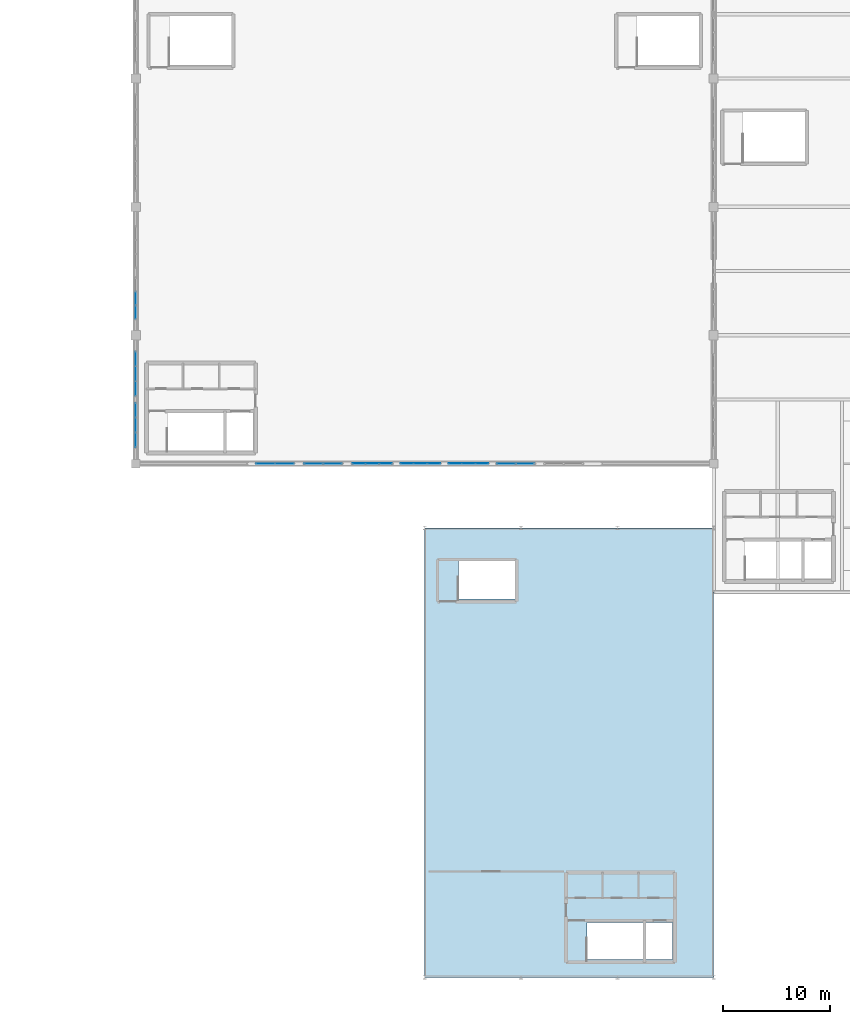
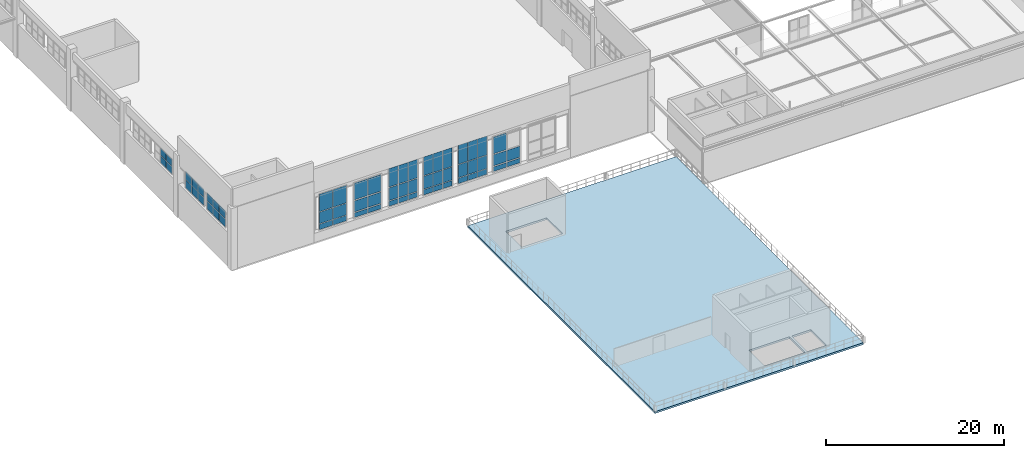
# One storey, part 70 of 97: 60 plates, 1 slab, 9 elements without a shape of their own.
"""IFC4 building model written with IfcOpenShell, lengths in metres."""

from ifc_helpers import new_model, si_unit, derived_unit, direction, frame, origin, origin_2d, place, context, subcontext, project, spatial, polyline, rectangle, outline, extrude, material, layer, layer_set, type_object, element, aggregate, save


model = new_model("IFC4")

# Units and contexts
model_context = context("Model", 3, precision=1e-05, world=origin(), true_north=direction((0.0, 1.0)))
body_context = subcontext(model_context, "Body", "Model", "MODEL_VIEW")
ifc_project = project(units=[si_unit("LENGTHUNIT", "METRE"), si_unit("AREAUNIT", "SQUARE_METRE"), si_unit("VOLUMEUNIT", "CUBIC_METRE"), si_unit("PLANEANGLEUNIT", "RADIAN"), si_unit("MASSUNIT", "GRAM", prefix="KILO"), derived_unit("THERMALTRANSMITTANCEUNIT", [(si_unit("POWERUNIT", "WATT"), 1), (si_unit("LENGTHUNIT", "METRE"), -2), (si_unit("THERMODYNAMICTEMPERATUREUNIT", "KELVIN"), -1)])], contexts=[model_context])

# Site, building, storey
site_placement = place(None, origin())
site = spatial("IfcSite", under=ifc_project, at=site_placement, CompositionType="ELEMENT")
building_placement = place(site_placement, origin())
building = spatial("IfcBuilding", under=site, at=building_placement, Name="Almenara Railside Exhibition Hall", CompositionType="ELEMENT")
storey_placement = place(building_placement, frame((0.0, 0.0, 10.800048828125)))
storey = spatial("IfcBuildingStorey", under=building, at=storey_placement, Name="L02", CompositionType="ELEMENT", Elevation=10.800048828125)

# Curtain wall, plates
ifc_material_1 = material(Name="Bronze-anodised aluminium and low-E double glazing", Category="aluminium")
ifc_layer_1 = layer(ifc_material_1, 0.179931640625, Name="Bronze-anodised aluminium and low-E double glazing")
ifc_layer_set_1 = layer_set([ifc_layer_1], Name="Bronze-anodised aluminium and low-E double glazing")
curtain_wall_type_1 = type_object("IfcCurtainWallType", Name="West Hall Clerestory Curtain Wall 3900x2200", PredefinedType="NOTDEFINED", material=ifc_layer_set_1)
curtain_wall_1_placement = place(storey_placement, origin())
curtain_wall_1 = element("IfcCurtainWall", 1, at=curtain_wall_1_placement, inside=storey, type_object=curtain_wall_type_1, Name="Curtain wall CW-CL2-005", PredefinedType="NOTDEFINED")
ifc_material_2 = material(Name="Solar-control acoustic laminated glazing", Category="glass")
ifc_layer_2 = layer(ifc_material_2, 0.031982421875, Name="Solar-control acoustic laminated glazing")
ifc_layer_set_2 = layer_set([ifc_layer_2], Name="Solar-control acoustic laminated glazing")
plate_type_1 = type_object("IfcPlateType", Name="Acoustic Low-E Double Glazing Panel 32mm", PredefinedType="CURTAIN_PANEL", material=ifc_layer_set_2)
plate_1_placement = place(storey_placement, frame((12.0, 62.1650390625, 4.69384765625), z_axis=(0.0, 0.0, 1.0), x_axis=(0.0, 1.0, 0.0)))
plate_1 = element("IfcPlate", 2, at=plate_1_placement, type_object=plate_type_1, Name="CW-CL2-005 panel 1.1", PredefinedType="CURTAIN_PANEL", context=body_context, shape_type="SweptSolid", body=[
    extrude(rectangle(XDim=1.22607421875, YDim=0.031982421875, at=origin_2d()), origin(), (0.0, 0.0, 1.0), 0.967041015625),
])
plate_2_placement = place(storey_placement, frame((12.0, 62.1650390625, 5.73876953125), z_axis=(0.0, 0.0, 1.0), x_axis=(0.0, 1.0, 0.0)))
plate_2 = element("IfcPlate", 3, at=plate_2_placement, type_object=plate_type_1, Name="CW-CL2-005 panel 1.2", PredefinedType="CURTAIN_PANEL", context=body_context, shape_type="SweptSolid", body=[
    extrude(rectangle(XDim=1.22607421875, YDim=0.031982421875, at=origin_2d()), origin(), (0.0, 0.0, 1.0), 0.967041015625),
])
plate_3_placement = place(storey_placement, frame((12.0, 63.449951171875, 4.69384765625), z_axis=(0.0, 0.0, 1.0), x_axis=(0.0, 1.0, 0.0)))
plate_3 = element("IfcPlate", 4, at=plate_3_placement, type_object=plate_type_1, Name="CW-CL2-005 panel 2.1", PredefinedType="CURTAIN_PANEL", context=body_context, shape_type="SweptSolid", body=[
    extrude(rectangle(XDim=1.256103515625, YDim=0.031982421875, at=origin_2d()), origin(), (0.0, 0.0, 1.0), 0.967041015625),
])
plate_4_placement = place(storey_placement, frame((12.0, 63.449951171875, 5.73876953125), z_axis=(0.0, 0.0, 1.0), x_axis=(0.0, 1.0, 0.0)))
plate_4 = element("IfcPlate", 5, at=plate_4_placement, type_object=plate_type_1, Name="CW-CL2-005 panel 2.2", PredefinedType="CURTAIN_PANEL", context=body_context, shape_type="SweptSolid", body=[
    extrude(rectangle(XDim=1.256103515625, YDim=0.031982421875, at=origin_2d()), origin(), (0.0, 0.0, 1.0), 0.967041015625),
])
aggregate(curtain_wall_1, [plate_1, plate_2, plate_3, plate_4])

ifc_layer_3 = layer(ifc_material_1, 0.179931640625, Name="Bronze-anodised aluminium and low-E double glazing")
ifc_layer_set_3 = layer_set([ifc_layer_3], Name="Bronze-anodised aluminium and low-E double glazing")
curtain_wall_type_2 = type_object("IfcCurtainWallType", Name="Scroll Gable Tall Curtain Wall 3800x5400", PredefinedType="NOTDEFINED", material=ifc_layer_set_3)
curtain_wall_2_placement = place(storey_placement, origin())
curtain_wall_2 = element("IfcCurtainWall", 6, at=curtain_wall_2_placement, inside=storey, type_object=curtain_wall_type_2, Name="Curtain wall CW-G1-035", PredefinedType="NOTDEFINED")
plate_5_placement = place(storey_placement, frame((41.84716796875, 48.0, 1.323974609375), z_axis=(0.0, 0.0, 1.0), x_axis=(1.0, 0.0, 0.0)))
plate_5 = element("IfcPlate", 7, at=plate_5_placement, type_object=plate_type_1, Name="CW-G1-035 panel 1.1", PredefinedType="CURTAIN_PANEL", context=body_context, shape_type="SweptSolid", body=[
    extrude(rectangle(XDim=1.2001953125, YDim=0.031982421875, at=origin_2d()), origin(), (0.0, 0.0, 1.0), 0.7470703125),
])
plate_6_placement = place(storey_placement, frame((41.84716796875, 48.0, 2.12890625), z_axis=(0.0, 0.0, 1.0), x_axis=(1.0, 0.0, 0.0)))
plate_6 = element("IfcPlate", 8, at=plate_6_placement, type_object=plate_type_1, Name="CW-G1-035 panel 1.2", PredefinedType="CURTAIN_PANEL", context=body_context, shape_type="SweptSolid", body=[
    extrude(rectangle(XDim=1.2001953125, YDim=0.031982421875, at=origin_2d()), origin(), (0.0, 0.0, 1.0), 1.7919921875),
])
plate_7_placement = place(storey_placement, frame((41.84716796875, 48.0, 3.97900390625), z_axis=(0.0, 0.0, 1.0), x_axis=(1.0, 0.0, 0.0)))
plate_7 = element("IfcPlate", 9, at=plate_7_placement, type_object=plate_type_1, Name="CW-G1-035 panel 1.3", PredefinedType="CURTAIN_PANEL", context=body_context, shape_type="SweptSolid", body=[
    extrude(rectangle(XDim=1.2001953125, YDim=0.031982421875, at=origin_2d()), origin(), (0.0, 0.0, 1.0), 2.596923828125),
])
plate_8_placement = place(storey_placement, frame((43.10009765625, 48.0, 1.323974609375), z_axis=(0.0, 0.0, 1.0), x_axis=(1.0, 0.0, 0.0)))
plate_8 = element("IfcPlate", 10, at=plate_8_placement, type_object=plate_type_1, Name="CW-G1-035 panel 2.1", PredefinedType="CURTAIN_PANEL", context=body_context, shape_type="SweptSolid", body=[
    extrude(rectangle(XDim=1.227783203125, YDim=0.031982421875, at=origin_2d()), origin(), (0.0, 0.0, 1.0), 0.7470703125),
])
plate_9_placement = place(storey_placement, frame((43.10009765625, 48.0, 2.12890625), z_axis=(0.0, 0.0, 1.0), x_axis=(1.0, 0.0, 0.0)))
plate_9 = element("IfcPlate", 11, at=plate_9_placement, type_object=plate_type_1, Name="CW-G1-035 panel 2.2", PredefinedType="CURTAIN_PANEL", context=body_context, shape_type="SweptSolid", body=[
    extrude(rectangle(XDim=1.227783203125, YDim=0.031982421875, at=origin_2d()), origin(), (0.0, 0.0, 1.0), 1.7919921875),
])
plate_10_placement = place(storey_placement, frame((43.10009765625, 48.0, 3.97900390625), z_axis=(0.0, 0.0, 1.0), x_axis=(1.0, 0.0, 0.0)))
plate_10 = element("IfcPlate", 12, at=plate_10_placement, type_object=plate_type_1, Name="CW-G1-035 panel 2.3", PredefinedType="CURTAIN_PANEL", context=body_context, shape_type="SweptSolid", body=[
    extrude(rectangle(XDim=1.227783203125, YDim=0.031982421875, at=origin_2d()), origin(), (0.0, 0.0, 1.0), 2.596923828125),
])
plate_11_placement = place(storey_placement, frame((44.35302734375, 48.0, 1.323974609375), z_axis=(0.0, 0.0, 1.0), x_axis=(1.0, 0.0, 0.0)))
plate_11 = element("IfcPlate", 13, at=plate_11_placement, type_object=plate_type_1, Name="CW-G1-035 panel 3.1", PredefinedType="CURTAIN_PANEL", context=body_context, shape_type="SweptSolid", body=[
    extrude(rectangle(XDim=1.2001953125, YDim=0.031982421875, at=origin_2d()), origin(), (0.0, 0.0, 1.0), 0.7470703125),
])
plate_12_placement = place(storey_placement, frame((44.35302734375, 48.0, 2.12890625), z_axis=(0.0, 0.0, 1.0), x_axis=(1.0, 0.0, 0.0)))
plate_12 = element("IfcPlate", 14, at=plate_12_placement, type_object=plate_type_1, Name="CW-G1-035 panel 3.2", PredefinedType="CURTAIN_PANEL", context=body_context, shape_type="SweptSolid", body=[
    extrude(rectangle(XDim=1.2001953125, YDim=0.031982421875, at=origin_2d()), origin(), (0.0, 0.0, 1.0), 1.7919921875),
])
plate_13_placement = place(storey_placement, frame((44.35302734375, 48.0, 3.97900390625), z_axis=(0.0, 0.0, 1.0), x_axis=(1.0, 0.0, 0.0)))
plate_13 = element("IfcPlate", 15, at=plate_13_placement, type_object=plate_type_1, Name="CW-G1-035 panel 3.3", PredefinedType="CURTAIN_PANEL", context=body_context, shape_type="SweptSolid", body=[
    extrude(rectangle(XDim=1.2001953125, YDim=0.031982421875, at=origin_2d()), origin(), (0.0, 0.0, 1.0), 2.596923828125),
])
aggregate(curtain_wall_2, [plate_5, plate_6, plate_7, plate_8, plate_9, plate_10, plate_11, plate_12, plate_13])

# Slab
ifc_material_3 = material(Name="Concrete C35/45", Category="concrete")
ifc_layer_4 = layer(ifc_material_3, 0.260009765625, Name="Concrete C35/45")
ifc_layer_set_4 = layer_set([ifc_layer_4], Name="Concrete C35/45")
slab_type = type_object("IfcSlabType", Name="Congress Suspended Slab 260mm C35/45", PredefinedType="FLOOR", material=ifc_layer_set_4)
slab_placement = place(storey_placement, frame((0.0, 0.0, -0.260009765625)))
element("IfcSlab", 16, at=slab_placement, inside=storey, type_object=slab_type, Name="Plenary L02 upper concourse slab 020", PredefinedType="FLOOR", context=body_context, shape_type="SweptSolid", body=[
    extrude(outline(polyline([(39.0, 0.0), (66.0, 0.0), (66.0, 42.0), (39.0, 42.0), (39.0, 0.0)]), holes=[polyline([(54.15087890625, 1.64990234375), (59.39990234375, 1.64990234375), (59.39990234375, 5.139892578125), (54.15087890625, 5.139892578125), (54.15087890625, 1.64990234375)]), polyline([(59.699951171875, 1.64990234375), (62.14990234375, 1.64990234375), (62.14990234375, 5.139892578125), (59.699951171875, 5.139892578125), (59.699951171875, 1.64990234375)]), polyline([(42.15087890625, 35.35009765625), (47.449951171875, 35.35009765625), (47.449951171875, 38.89990234375), (42.15087890625, 38.89990234375), (42.15087890625, 35.35009765625)])]), origin(), (0.0, 0.0, 1.0), 0.260009765625),
])

# Curtain wall, plates
ifc_layer_5 = layer(ifc_material_1, 0.179931640625, Name="Bronze-anodised aluminium and low-E double glazing")
ifc_layer_set_5 = layer_set([ifc_layer_5], Name="Bronze-anodised aluminium and low-E double glazing")
curtain_wall_type_3 = type_object("IfcCurtainWallType", Name="West Hall Clerestory Curtain Wall 4200x2400", PredefinedType="NOTDEFINED", material=ifc_layer_set_5)
curtain_wall_3_placement = place(storey_placement, origin())
curtain_wall_3 = element("IfcCurtainWall", 17, at=curtain_wall_3_placement, inside=storey, type_object=curtain_wall_type_3, Name="Curtain wall CW-CL1-002", PredefinedType="NOTDEFINED")
ifc_material_4 = material(Name="Clear low-E laminated double glazing", Category="glass")
ifc_layer_6 = layer(ifc_material_4, 0.02392578125, Name="Clear low-E laminated double glazing")
ifc_layer_set_6 = layer_set([ifc_layer_6], Name="Clear low-E laminated double glazing")
plate_type_2 = type_object("IfcPlateType", Name="Courtyard Clear Double Glazing Panel 24mm", PredefinedType="CURTAIN_PANEL", material=ifc_layer_set_6)
plate_14_placement = place(storey_placement, frame((12.0, 55.013671875, 4.673828125), z_axis=(0.0, 0.0, 1.0), x_axis=(0.0, 1.0, 0.0)))
plate_14 = element("IfcPlate", 18, at=plate_14_placement, type_object=plate_type_2, Name="CW-CL1-002 panel 1.1", PredefinedType="CURTAIN_PANEL", context=body_context, shape_type="SweptSolid", body=[
    extrude(rectangle(XDim=1.33349609375, YDim=0.02392578125, at=origin_2d()), origin(), (0.0, 0.0, 1.0), 1.096923828125),
])
plate_15_placement = place(storey_placement, frame((12.0, 55.013671875, 5.8291015625), z_axis=(0.0, 0.0, 1.0), x_axis=(0.0, 1.0, 0.0)))
plate_15 = element("IfcPlate", 19, at=plate_15_placement, type_object=plate_type_2, Name="CW-CL1-002 panel 1.2", PredefinedType="CURTAIN_PANEL", context=body_context, shape_type="SweptSolid", body=[
    extrude(rectangle(XDim=1.33349609375, YDim=0.02392578125, at=origin_2d()), origin(), (0.0, 0.0, 1.0), 1.096923828125),
])
plate_16_placement = place(storey_placement, frame((12.0, 56.39990234375, 4.673828125), z_axis=(0.0, 0.0, 1.0), x_axis=(0.0, 1.0, 0.0)))
plate_16 = element("IfcPlate", 20, at=plate_16_placement, type_object=plate_type_2, Name="CW-CL1-002 panel 2.1", PredefinedType="CURTAIN_PANEL", context=body_context, shape_type="SweptSolid", body=[
    extrude(rectangle(XDim=1.361083984375, YDim=0.02392578125, at=origin_2d()), origin(), (0.0, 0.0, 1.0), 1.096923828125),
])
plate_17_placement = place(storey_placement, frame((12.0, 56.39990234375, 5.8291015625), z_axis=(0.0, 0.0, 1.0), x_axis=(0.0, 1.0, 0.0)))
plate_17 = element("IfcPlate", 21, at=plate_17_placement, type_object=plate_type_2, Name="CW-CL1-002 panel 2.2", PredefinedType="CURTAIN_PANEL", context=body_context, shape_type="SweptSolid", body=[
    extrude(rectangle(XDim=1.361083984375, YDim=0.02392578125, at=origin_2d()), origin(), (0.0, 0.0, 1.0), 1.096923828125),
])
plate_18_placement = place(storey_placement, frame((12.0, 57.7861328125, 4.673828125), z_axis=(0.0, 0.0, 1.0), x_axis=(0.0, 1.0, 0.0)))
plate_18 = element("IfcPlate", 22, at=plate_18_placement, type_object=plate_type_2, Name="CW-CL1-002 panel 3.1", PredefinedType="CURTAIN_PANEL", context=body_context, shape_type="SweptSolid", body=[
    extrude(rectangle(XDim=1.33349609375, YDim=0.02392578125, at=origin_2d()), origin(), (0.0, 0.0, 1.0), 1.096923828125),
])
plate_19_placement = place(storey_placement, frame((12.0, 57.7861328125, 5.8291015625), z_axis=(0.0, 0.0, 1.0), x_axis=(0.0, 1.0, 0.0)))
plate_19 = element("IfcPlate", 23, at=plate_19_placement, type_object=plate_type_2, Name="CW-CL1-002 panel 3.2", PredefinedType="CURTAIN_PANEL", context=body_context, shape_type="SweptSolid", body=[
    extrude(rectangle(XDim=1.33349609375, YDim=0.02392578125, at=origin_2d()), origin(), (0.0, 0.0, 1.0), 1.096923828125),
])
aggregate(curtain_wall_3, [plate_14, plate_15, plate_16, plate_17, plate_18, plate_19])

ifc_layer_7 = layer(ifc_material_1, 0.179931640625, Name="Bronze-anodised aluminium and low-E double glazing")
ifc_layer_set_7 = layer_set([ifc_layer_7], Name="Bronze-anodised aluminium and low-E double glazing")
curtain_wall_type_4 = type_object("IfcCurtainWallType", Name="Scroll Gable Standard Curtain Wall 3600x5000", PredefinedType="NOTDEFINED", material=ifc_layer_set_7)
curtain_wall_4_placement = place(storey_placement, origin())
curtain_wall_4 = element("IfcCurtainWall", 24, at=curtain_wall_4_placement, inside=storey, type_object=curtain_wall_type_4, Name="Curtain wall CW-G2-032", PredefinedType="NOTDEFINED")
plate_20_placement = place(storey_placement, frame((28.617431640625, 48.0, 1.393798828125), z_axis=(0.0, 0.0, 1.0), x_axis=(1.0, 0.0, 0.0)))
plate_20 = element("IfcPlate", 25, at=plate_20_placement, type_object=plate_type_2, Name="CW-G2-032 panel 1.1", PredefinedType="CURTAIN_PANEL", context=body_context, shape_type="SweptSolid", body=[
    extrude(rectangle(XDim=1.7109375, YDim=0.02392578125, at=origin_2d()), origin(), (0.0, 0.0, 1.0), 0.64208984375),
])
plate_21_placement = place(storey_placement, frame((28.617431640625, 48.0, 2.1640625), z_axis=(0.0, 0.0, 1.0), x_axis=(1.0, 0.0, 0.0)))
plate_21 = element("IfcPlate", 26, at=plate_21_placement, type_object=plate_type_2, Name="CW-G2-032 panel 1.2", PredefinedType="CURTAIN_PANEL", context=body_context, shape_type="SweptSolid", body=[
    extrude(rectangle(XDim=1.7109375, YDim=0.02392578125, at=origin_2d()), origin(), (0.0, 0.0, 1.0), 1.52197265625),
])
plate_22_placement = place(storey_placement, frame((28.617431640625, 48.0, 3.81396484375), z_axis=(0.0, 0.0, 1.0), x_axis=(1.0, 0.0, 0.0)))
plate_22 = element("IfcPlate", 27, at=plate_22_placement, type_object=plate_type_2, Name="CW-G2-032 panel 1.3", PredefinedType="CURTAIN_PANEL", context=body_context, shape_type="SweptSolid", body=[
    extrude(rectangle(XDim=1.7109375, YDim=0.02392578125, at=origin_2d()), origin(), (0.0, 0.0, 1.0), 2.2919921875),
])
plate_23_placement = place(storey_placement, frame((30.382568359375, 48.0, 1.393798828125), z_axis=(0.0, 0.0, 1.0), x_axis=(1.0, 0.0, 0.0)))
plate_23 = element("IfcPlate", 28, at=plate_23_placement, type_object=plate_type_2, Name="CW-G2-032 panel 2.1", PredefinedType="CURTAIN_PANEL", context=body_context, shape_type="SweptSolid", body=[
    extrude(rectangle(XDim=1.7109375, YDim=0.02392578125, at=origin_2d()), origin(), (0.0, 0.0, 1.0), 0.64208984375),
])
plate_24_placement = place(storey_placement, frame((30.382568359375, 48.0, 2.1640625), z_axis=(0.0, 0.0, 1.0), x_axis=(1.0, 0.0, 0.0)))
plate_24 = element("IfcPlate", 29, at=plate_24_placement, type_object=plate_type_2, Name="CW-G2-032 panel 2.2", PredefinedType="CURTAIN_PANEL", context=body_context, shape_type="SweptSolid", body=[
    extrude(rectangle(XDim=1.7109375, YDim=0.02392578125, at=origin_2d()), origin(), (0.0, 0.0, 1.0), 1.52197265625),
])
plate_25_placement = place(storey_placement, frame((30.382568359375, 48.0, 3.81396484375), z_axis=(0.0, 0.0, 1.0), x_axis=(1.0, 0.0, 0.0)))
plate_25 = element("IfcPlate", 30, at=plate_25_placement, type_object=plate_type_2, Name="CW-G2-032 panel 2.3", PredefinedType="CURTAIN_PANEL", context=body_context, shape_type="SweptSolid", body=[
    extrude(rectangle(XDim=1.7109375, YDim=0.02392578125, at=origin_2d()), origin(), (0.0, 0.0, 1.0), 2.2919921875),
])
aggregate(curtain_wall_4, [plate_20, plate_21, plate_22, plate_23, plate_24, plate_25])

curtain_wall_5_placement = place(storey_placement, origin())
curtain_wall_5 = element("IfcCurtainWall", 31, at=curtain_wall_5_placement, inside=storey, type_object=curtain_wall_type_2, Name="Curtain wall CW-G1-033", PredefinedType="NOTDEFINED")
ifc_material_5 = material(Name="Bronze-anodised insulated aluminium spandrel", Category="aluminium")
ifc_layer_8 = layer(ifc_material_5, 0.0400390625, Name="Bronze-anodised insulated aluminium spandrel")
ifc_layer_set_8 = layer_set([ifc_layer_8], Name="Bronze-anodised insulated aluminium spandrel")
plate_type_3 = type_object("IfcPlateType", Name="Insulated Bronze Spandrel Panel 40mm", PredefinedType="CURTAIN_PANEL", material=ifc_layer_set_8)
plate_26_placement = place(storey_placement, frame((32.849609375, 48.0, 1.3740234375), z_axis=(0.0, 0.0, 1.0), x_axis=(1.0, 0.0, 0.0)))
plate_26 = element("IfcPlate", 32, at=plate_26_placement, type_object=plate_type_3, Name="CW-G1-033 panel 1.1", PredefinedType="CURTAIN_PANEL", context=body_context, shape_type="SweptSolid", body=[
    extrude(rectangle(XDim=1.18505859375, YDim=0.0400390625, at=origin_2d()), origin(), (0.0, 0.0, 1.0), 0.672119140625),
])
plate_27_placement = place(storey_placement, frame((32.849609375, 48.0, 2.15380859375), z_axis=(0.0, 0.0, 1.0), x_axis=(1.0, 0.0, 0.0)))
plate_27 = element("IfcPlate", 33, at=plate_27_placement, type_object=plate_type_3, Name="CW-G1-033 panel 1.2", PredefinedType="CURTAIN_PANEL", context=body_context, shape_type="SweptSolid", body=[
    extrude(rectangle(XDim=1.18505859375, YDim=0.0400390625, at=origin_2d()), origin(), (0.0, 0.0, 1.0), 1.741943359375),
])
plate_28_placement = place(storey_placement, frame((32.849609375, 48.0, 4.00390625), z_axis=(0.0, 0.0, 1.0), x_axis=(1.0, 0.0, 0.0)))
plate_28 = element("IfcPlate", 34, at=plate_28_placement, type_object=plate_type_3, Name="CW-G1-033 panel 1.3", PredefinedType="CURTAIN_PANEL", context=body_context, shape_type="SweptSolid", body=[
    extrude(rectangle(XDim=1.18505859375, YDim=0.0400390625, at=origin_2d()), origin(), (0.0, 0.0, 1.0), 2.52197265625),
])
plate_29_placement = place(storey_placement, frame((34.10009765625, 48.0, 1.3740234375), z_axis=(0.0, 0.0, 1.0), x_axis=(1.0, 0.0, 0.0)))
plate_29 = element("IfcPlate", 35, at=plate_29_placement, type_object=plate_type_3, Name="CW-G1-033 panel 2.1", PredefinedType="CURTAIN_PANEL", context=body_context, shape_type="SweptSolid", body=[
    extrude(rectangle(XDim=1.2177734375, YDim=0.0400390625, at=origin_2d()), origin(), (0.0, 0.0, 1.0), 0.672119140625),
])
plate_30_placement = place(storey_placement, frame((34.10009765625, 48.0, 2.15380859375), z_axis=(0.0, 0.0, 1.0), x_axis=(1.0, 0.0, 0.0)))
plate_30 = element("IfcPlate", 36, at=plate_30_placement, type_object=plate_type_3, Name="CW-G1-033 panel 2.2", PredefinedType="CURTAIN_PANEL", context=body_context, shape_type="SweptSolid", body=[
    extrude(rectangle(XDim=1.2177734375, YDim=0.0400390625, at=origin_2d()), origin(), (0.0, 0.0, 1.0), 1.741943359375),
])
plate_31_placement = place(storey_placement, frame((34.10009765625, 48.0, 4.00390625), z_axis=(0.0, 0.0, 1.0), x_axis=(1.0, 0.0, 0.0)))
plate_31 = element("IfcPlate", 37, at=plate_31_placement, type_object=plate_type_3, Name="CW-G1-033 panel 2.3", PredefinedType="CURTAIN_PANEL", context=body_context, shape_type="SweptSolid", body=[
    extrude(rectangle(XDim=1.2177734375, YDim=0.0400390625, at=origin_2d()), origin(), (0.0, 0.0, 1.0), 2.52197265625),
])
plate_32_placement = place(storey_placement, frame((35.350341796875, 48.0, 1.3740234375), z_axis=(0.0, 0.0, 1.0), x_axis=(1.0, 0.0, 0.0)))
plate_32 = element("IfcPlate", 38, at=plate_32_placement, type_object=plate_type_3, Name="CW-G1-033 panel 3.1", PredefinedType="CURTAIN_PANEL", context=body_context, shape_type="SweptSolid", body=[
    extrude(rectangle(XDim=1.18505859375, YDim=0.0400390625, at=origin_2d()), origin(), (0.0, 0.0, 1.0), 0.672119140625),
])
plate_33_placement = place(storey_placement, frame((35.350341796875, 48.0, 2.15380859375), z_axis=(0.0, 0.0, 1.0), x_axis=(1.0, 0.0, 0.0)))
plate_33 = element("IfcPlate", 39, at=plate_33_placement, type_object=plate_type_3, Name="CW-G1-033 panel 3.2", PredefinedType="CURTAIN_PANEL", context=body_context, shape_type="SweptSolid", body=[
    extrude(rectangle(XDim=1.18505859375, YDim=0.0400390625, at=origin_2d()), origin(), (0.0, 0.0, 1.0), 1.741943359375),
])
plate_34_placement = place(storey_placement, frame((35.350341796875, 48.0, 4.00390625), z_axis=(0.0, 0.0, 1.0), x_axis=(1.0, 0.0, 0.0)))
plate_34 = element("IfcPlate", 40, at=plate_34_placement, type_object=plate_type_3, Name="CW-G1-033 panel 3.3", PredefinedType="CURTAIN_PANEL", context=body_context, shape_type="SweptSolid", body=[
    extrude(rectangle(XDim=1.18505859375, YDim=0.0400390625, at=origin_2d()), origin(), (0.0, 0.0, 1.0), 2.52197265625),
])
aggregate(curtain_wall_5, [plate_26, plate_27, plate_28, plate_29, plate_30, plate_31, plate_32, plate_33, plate_34])

curtain_wall_6_placement = place(storey_placement, origin())
curtain_wall_6 = element("IfcCurtainWall", 41, at=curtain_wall_6_placement, inside=storey, type_object=curtain_wall_type_2, Name="Curtain wall CW-G1-034", PredefinedType="NOTDEFINED")
ifc_layer_9 = layer(ifc_material_5, 0.034912109375, Name="Bronze-anodised insulated aluminium spandrel")
ifc_layer_set_9 = layer_set([ifc_layer_9], Name="Bronze-anodised insulated aluminium spandrel")
plate_type_4 = type_object("IfcPlateType", Name="Insulated Stucco-Tone Spandrel Panel 35mm", PredefinedType="CURTAIN_PANEL", material=ifc_layer_set_9)
plate_35_placement = place(storey_placement, frame((37.348388671875, 48.0, 1.34375), z_axis=(0.0, 0.0, 1.0), x_axis=(1.0, 0.0, 0.0)))
plate_35 = element("IfcPlate", 42, at=plate_35_placement, type_object=plate_type_4, Name="CW-G1-034 panel 1.1", PredefinedType="CURTAIN_PANEL", context=body_context, shape_type="SweptSolid", body=[
    extrude(rectangle(XDim=1.192626953125, YDim=0.034912109375, at=origin_2d()), origin(), (0.0, 0.0, 1.0), 0.717041015625),
])
plate_36_placement = place(storey_placement, frame((37.348388671875, 48.0, 2.138916015625), z_axis=(0.0, 0.0, 1.0), x_axis=(1.0, 0.0, 0.0)))
plate_36 = element("IfcPlate", 43, at=plate_36_placement, type_object=plate_type_4, Name="CW-G1-034 panel 1.2", PredefinedType="CURTAIN_PANEL", context=body_context, shape_type="SweptSolid", body=[
    extrude(rectangle(XDim=1.192626953125, YDim=0.034912109375, at=origin_2d()), origin(), (0.0, 0.0, 1.0), 1.77197265625),
])
plate_37_placement = place(storey_placement, frame((37.348388671875, 48.0, 3.989013671875), z_axis=(0.0, 0.0, 1.0), x_axis=(1.0, 0.0, 0.0)))
plate_37 = element("IfcPlate", 44, at=plate_37_placement, type_object=plate_type_4, Name="CW-G1-034 panel 1.3", PredefinedType="CURTAIN_PANEL", context=body_context, shape_type="SweptSolid", body=[
    extrude(rectangle(XDim=1.192626953125, YDim=0.034912109375, at=origin_2d()), origin(), (0.0, 0.0, 1.0), 2.56689453125),
])
plate_38_placement = place(storey_placement, frame((38.60009765625, 48.0, 1.34375), z_axis=(0.0, 0.0, 1.0), x_axis=(1.0, 0.0, 0.0)))
plate_38 = element("IfcPlate", 45, at=plate_38_placement, type_object=plate_type_4, Name="CW-G1-034 panel 2.1", PredefinedType="CURTAIN_PANEL", context=body_context, shape_type="SweptSolid", body=[
    extrude(rectangle(XDim=1.22265625, YDim=0.034912109375, at=origin_2d()), origin(), (0.0, 0.0, 1.0), 0.717041015625),
])
plate_39_placement = place(storey_placement, frame((38.60009765625, 48.0, 2.138916015625), z_axis=(0.0, 0.0, 1.0), x_axis=(1.0, 0.0, 0.0)))
plate_39 = element("IfcPlate", 46, at=plate_39_placement, type_object=plate_type_4, Name="CW-G1-034 panel 2.2", PredefinedType="CURTAIN_PANEL", context=body_context, shape_type="SweptSolid", body=[
    extrude(rectangle(XDim=1.22265625, YDim=0.034912109375, at=origin_2d()), origin(), (0.0, 0.0, 1.0), 1.77197265625),
])
plate_40_placement = place(storey_placement, frame((38.60009765625, 48.0, 3.989013671875), z_axis=(0.0, 0.0, 1.0), x_axis=(1.0, 0.0, 0.0)))
plate_40 = element("IfcPlate", 47, at=plate_40_placement, type_object=plate_type_4, Name="CW-G1-034 panel 2.3", PredefinedType="CURTAIN_PANEL", context=body_context, shape_type="SweptSolid", body=[
    extrude(rectangle(XDim=1.22265625, YDim=0.034912109375, at=origin_2d()), origin(), (0.0, 0.0, 1.0), 2.56689453125),
])
plate_41_placement = place(storey_placement, frame((39.8515625, 48.0, 1.34375), z_axis=(0.0, 0.0, 1.0), x_axis=(1.0, 0.0, 0.0)))
plate_41 = element("IfcPlate", 48, at=plate_41_placement, type_object=plate_type_4, Name="CW-G1-034 panel 3.1", PredefinedType="CURTAIN_PANEL", context=body_context, shape_type="SweptSolid", body=[
    extrude(rectangle(XDim=1.192626953125, YDim=0.034912109375, at=origin_2d()), origin(), (0.0, 0.0, 1.0), 0.717041015625),
])
plate_42_placement = place(storey_placement, frame((39.8515625, 48.0, 2.138916015625), z_axis=(0.0, 0.0, 1.0), x_axis=(1.0, 0.0, 0.0)))
plate_42 = element("IfcPlate", 49, at=plate_42_placement, type_object=plate_type_4, Name="CW-G1-034 panel 3.2", PredefinedType="CURTAIN_PANEL", context=body_context, shape_type="SweptSolid", body=[
    extrude(rectangle(XDim=1.192626953125, YDim=0.034912109375, at=origin_2d()), origin(), (0.0, 0.0, 1.0), 1.77197265625),
])
plate_43_placement = place(storey_placement, frame((39.8515625, 48.0, 3.989013671875), z_axis=(0.0, 0.0, 1.0), x_axis=(1.0, 0.0, 0.0)))
plate_43 = element("IfcPlate", 50, at=plate_43_placement, type_object=plate_type_4, Name="CW-G1-034 panel 3.3", PredefinedType="CURTAIN_PANEL", context=body_context, shape_type="SweptSolid", body=[
    extrude(rectangle(XDim=1.192626953125, YDim=0.034912109375, at=origin_2d()), origin(), (0.0, 0.0, 1.0), 2.56689453125),
])
aggregate(curtain_wall_6, [plate_35, plate_36, plate_37, plate_38, plate_39, plate_40, plate_41, plate_42, plate_43])

curtain_wall_7_placement = place(storey_placement, origin())
curtain_wall_7 = element("IfcCurtainWall", 51, at=curtain_wall_7_placement, inside=storey, type_object=curtain_wall_type_3, Name="Curtain wall CW-CL1-001", PredefinedType="NOTDEFINED")
ifc_material_6 = material(Name="Solar-control low-E laminated double glazing", Category="glass")
ifc_layer_10 = layer(ifc_material_6, 0.028076171875, Name="Solar-control low-E laminated double glazing")
ifc_layer_set_10 = layer_set([ifc_layer_10], Name="Solar-control low-E laminated double glazing")
plate_type_5 = type_object("IfcPlateType", Name="Low-E Solar Control Double Glazing Panel 28mm", PredefinedType="CURTAIN_PANEL", material=ifc_layer_set_10)
plate_44_placement = place(storey_placement, frame((12.0, 50.215087890625, 4.694091796875), z_axis=(0.0, 0.0, 1.0), x_axis=(0.0, 1.0, 0.0)))
plate_44 = element("IfcPlate", 52, at=plate_44_placement, type_object=plate_type_5, Name="CW-CL1-001 panel 1.1", PredefinedType="CURTAIN_PANEL", context=body_context, shape_type="SweptSolid", body=[
    extrude(rectangle(XDim=1.325927734375, YDim=0.028076171875, at=origin_2d()), origin(), (0.0, 0.0, 1.0), 1.06689453125),
])
plate_45_placement = place(storey_placement, frame((12.0, 50.215087890625, 5.839111328125), z_axis=(0.0, 0.0, 1.0), x_axis=(0.0, 1.0, 0.0)))
plate_45 = element("IfcPlate", 53, at=plate_45_placement, type_object=plate_type_5, Name="CW-CL1-001 panel 1.2", PredefinedType="CURTAIN_PANEL", context=body_context, shape_type="SweptSolid", body=[
    extrude(rectangle(XDim=1.325927734375, YDim=0.028076171875, at=origin_2d()), origin(), (0.0, 0.0, 1.0), 1.06689453125),
])
plate_46_placement = place(storey_placement, frame((12.0, 51.60009765625, 4.694091796875), z_axis=(0.0, 0.0, 1.0), x_axis=(0.0, 1.0, 0.0)))
plate_46 = element("IfcPlate", 54, at=plate_46_placement, type_object=plate_type_5, Name="CW-CL1-001 panel 2.1", PredefinedType="CURTAIN_PANEL", context=body_context, shape_type="SweptSolid", body=[
    extrude(rectangle(XDim=1.35595703125, YDim=0.028076171875, at=origin_2d()), origin(), (0.0, 0.0, 1.0), 1.06689453125),
])
plate_47_placement = place(storey_placement, frame((12.0, 51.60009765625, 5.839111328125), z_axis=(0.0, 0.0, 1.0), x_axis=(0.0, 1.0, 0.0)))
plate_47 = element("IfcPlate", 55, at=plate_47_placement, type_object=plate_type_5, Name="CW-CL1-001 panel 2.2", PredefinedType="CURTAIN_PANEL", context=body_context, shape_type="SweptSolid", body=[
    extrude(rectangle(XDim=1.35595703125, YDim=0.028076171875, at=origin_2d()), origin(), (0.0, 0.0, 1.0), 1.06689453125),
])
plate_48_placement = place(storey_placement, frame((12.0, 52.985107421875, 4.694091796875), z_axis=(0.0, 0.0, 1.0), x_axis=(0.0, 1.0, 0.0)))
plate_48 = element("IfcPlate", 56, at=plate_48_placement, type_object=plate_type_5, Name="CW-CL1-001 panel 3.1", PredefinedType="CURTAIN_PANEL", context=body_context, shape_type="SweptSolid", body=[
    extrude(rectangle(XDim=1.325927734375, YDim=0.028076171875, at=origin_2d()), origin(), (0.0, 0.0, 1.0), 1.06689453125),
])
plate_49_placement = place(storey_placement, frame((12.0, 52.985107421875, 5.839111328125), z_axis=(0.0, 0.0, 1.0), x_axis=(0.0, 1.0, 0.0)))
plate_49 = element("IfcPlate", 57, at=plate_49_placement, type_object=plate_type_5, Name="CW-CL1-001 panel 3.2", PredefinedType="CURTAIN_PANEL", context=body_context, shape_type="SweptSolid", body=[
    extrude(rectangle(XDim=1.325927734375, YDim=0.028076171875, at=origin_2d()), origin(), (0.0, 0.0, 1.0), 1.06689453125),
])
aggregate(curtain_wall_7, [plate_44, plate_45, plate_46, plate_47, plate_48, plate_49])

curtain_wall_8_placement = place(storey_placement, origin())
curtain_wall_8 = element("IfcCurtainWall", 58, at=curtain_wall_8_placement, inside=storey, type_object=curtain_wall_type_4, Name="Curtain wall CW-G2-031", PredefinedType="NOTDEFINED")
plate_50_placement = place(storey_placement, frame((24.11376953125, 48.0, 1.323974609375), z_axis=(0.0, 0.0, 1.0), x_axis=(1.0, 0.0, 0.0)))
plate_50 = element("IfcPlate", 59, at=plate_50_placement, type_object=plate_type_5, Name="CW-G2-031 panel 1.1", PredefinedType="CURTAIN_PANEL", context=body_context, shape_type="SweptSolid", body=[
    extrude(rectangle(XDim=1.7333984375, YDim=0.028076171875, at=origin_2d()), origin(), (0.0, 0.0, 1.0), 0.7470703125),
])
plate_51_placement = place(storey_placement, frame((24.11376953125, 48.0, 2.12890625), z_axis=(0.0, 0.0, 1.0), x_axis=(1.0, 0.0, 0.0)))
plate_51 = element("IfcPlate", 60, at=plate_51_placement, type_object=plate_type_5, Name="CW-G2-031 panel 1.2", PredefinedType="CURTAIN_PANEL", context=body_context, shape_type="SweptSolid", body=[
    extrude(rectangle(XDim=1.7333984375, YDim=0.028076171875, at=origin_2d()), origin(), (0.0, 0.0, 1.0), 1.592041015625),
])
plate_52_placement = place(storey_placement, frame((24.11376953125, 48.0, 3.779052734375), z_axis=(0.0, 0.0, 1.0), x_axis=(1.0, 0.0, 0.0)))
plate_52 = element("IfcPlate", 61, at=plate_52_placement, type_object=plate_type_5, Name="CW-G2-031 panel 1.3", PredefinedType="CURTAIN_PANEL", context=body_context, shape_type="SweptSolid", body=[
    extrude(rectangle(XDim=1.7333984375, YDim=0.028076171875, at=origin_2d()), origin(), (0.0, 0.0, 1.0), 2.39697265625),
])
plate_53_placement = place(storey_placement, frame((25.88623046875, 48.0, 1.323974609375), z_axis=(0.0, 0.0, 1.0), x_axis=(1.0, 0.0, 0.0)))
plate_53 = element("IfcPlate", 62, at=plate_53_placement, type_object=plate_type_5, Name="CW-G2-031 panel 2.1", PredefinedType="CURTAIN_PANEL", context=body_context, shape_type="SweptSolid", body=[
    extrude(rectangle(XDim=1.7333984375, YDim=0.028076171875, at=origin_2d()), origin(), (0.0, 0.0, 1.0), 0.7470703125),
])
plate_54_placement = place(storey_placement, frame((25.88623046875, 48.0, 2.12890625), z_axis=(0.0, 0.0, 1.0), x_axis=(1.0, 0.0, 0.0)))
plate_54 = element("IfcPlate", 63, at=plate_54_placement, type_object=plate_type_5, Name="CW-G2-031 panel 2.2", PredefinedType="CURTAIN_PANEL", context=body_context, shape_type="SweptSolid", body=[
    extrude(rectangle(XDim=1.7333984375, YDim=0.028076171875, at=origin_2d()), origin(), (0.0, 0.0, 1.0), 1.592041015625),
])
plate_55_placement = place(storey_placement, frame((25.88623046875, 48.0, 3.779052734375), z_axis=(0.0, 0.0, 1.0), x_axis=(1.0, 0.0, 0.0)))
plate_55 = element("IfcPlate", 64, at=plate_55_placement, type_object=plate_type_5, Name="CW-G2-031 panel 2.3", PredefinedType="CURTAIN_PANEL", context=body_context, shape_type="SweptSolid", body=[
    extrude(rectangle(XDim=1.7333984375, YDim=0.028076171875, at=origin_2d()), origin(), (0.0, 0.0, 1.0), 2.39697265625),
])
aggregate(curtain_wall_8, [plate_50, plate_51, plate_52, plate_53, plate_54, plate_55])

curtain_wall_9_placement = place(storey_placement, origin())
curtain_wall_9 = element("IfcCurtainWall", 65, at=curtain_wall_9_placement, inside=storey, type_object=curtain_wall_type_4, Name="Curtain wall CW-G2-036", PredefinedType="NOTDEFINED")
plate_56_placement = place(storey_placement, frame((46.617431640625, 48.0, 1.393798828125), z_axis=(0.0, 0.0, 1.0), x_axis=(1.0, 0.0, 0.0)))
plate_56 = element("IfcPlate", 66, at=plate_56_placement, type_object=plate_type_5, Name="CW-G2-036 panel 1.1", PredefinedType="CURTAIN_PANEL", context=body_context, shape_type="SweptSolid", body=[
    extrude(rectangle(XDim=1.7109375, YDim=0.028076171875, at=origin_2d()), origin(), (0.0, 0.0, 1.0), 0.64208984375),
])
plate_57_placement = place(storey_placement, frame((46.617431640625, 48.0, 2.1640625), z_axis=(0.0, 0.0, 1.0), x_axis=(1.0, 0.0, 0.0)))
plate_57 = element("IfcPlate", 67, at=plate_57_placement, type_object=plate_type_5, Name="CW-G2-036 panel 1.2", PredefinedType="CURTAIN_PANEL", context=body_context, shape_type="SweptSolid", body=[
    extrude(rectangle(XDim=1.7109375, YDim=0.028076171875, at=origin_2d()), origin(), (0.0, 0.0, 1.0), 1.52197265625),
])
plate_58_placement = place(storey_placement, frame((46.617431640625, 48.0, 3.81396484375), z_axis=(0.0, 0.0, 1.0), x_axis=(1.0, 0.0, 0.0)))
plate_58 = element("IfcPlate", 68, at=plate_58_placement, type_object=plate_type_5, Name="CW-G2-036 panel 1.3", PredefinedType="CURTAIN_PANEL", context=body_context, shape_type="SweptSolid", body=[
    extrude(rectangle(XDim=1.7109375, YDim=0.028076171875, at=origin_2d()), origin(), (0.0, 0.0, 1.0), 2.2919921875),
])
plate_59_placement = place(storey_placement, frame((48.382568359375, 48.0, 1.393798828125), z_axis=(0.0, 0.0, 1.0), x_axis=(1.0, 0.0, 0.0)))
plate_59 = element("IfcPlate", 69, at=plate_59_placement, type_object=plate_type_5, Name="CW-G2-036 panel 2.1", PredefinedType="CURTAIN_PANEL", context=body_context, shape_type="SweptSolid", body=[
    extrude(rectangle(XDim=1.7109375, YDim=0.028076171875, at=origin_2d()), origin(), (0.0, 0.0, 1.0), 0.64208984375),
])
plate_60_placement = place(storey_placement, frame((48.382568359375, 48.0, 2.1640625), z_axis=(0.0, 0.0, 1.0), x_axis=(1.0, 0.0, 0.0)))
plate_60 = element("IfcPlate", 70, at=plate_60_placement, type_object=plate_type_5, Name="CW-G2-036 panel 2.2", PredefinedType="CURTAIN_PANEL", context=body_context, shape_type="SweptSolid", body=[
    extrude(rectangle(XDim=1.7109375, YDim=0.028076171875, at=origin_2d()), origin(), (0.0, 0.0, 1.0), 1.52197265625),
])
aggregate(curtain_wall_9, [plate_56, plate_57, plate_58, plate_59, plate_60])

save(model, "model.ifc")
